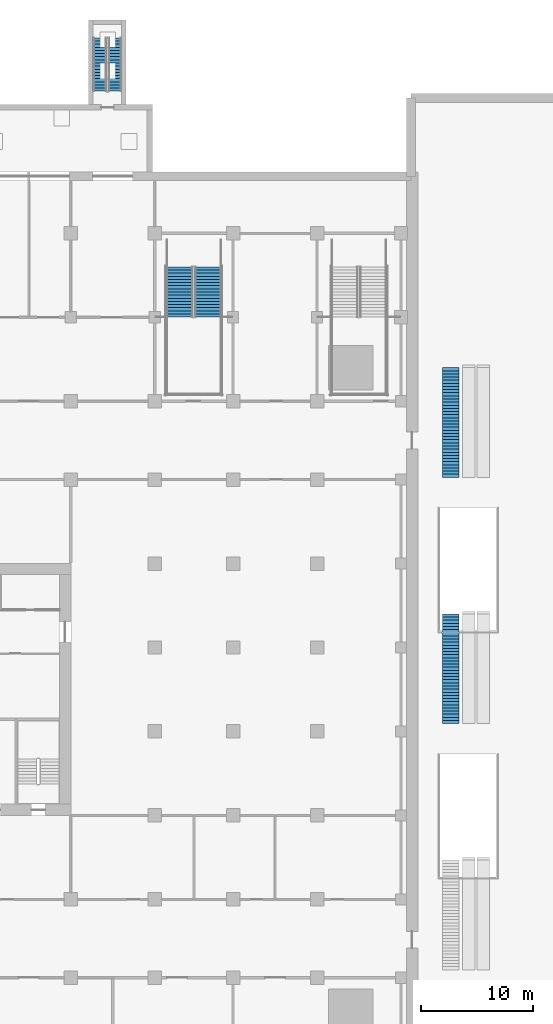
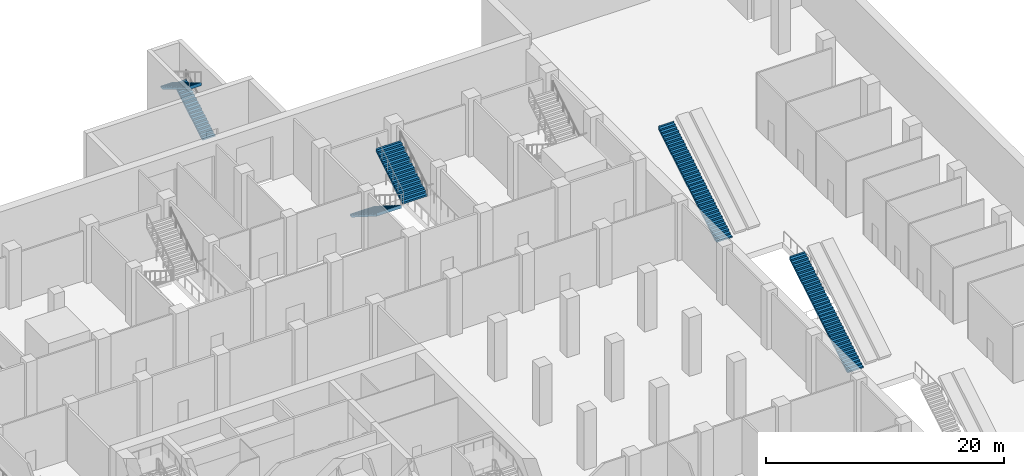
# One storey, part 24 of 45: 6 stair flights, 4 elements without a shape of their own.
"""IFC4 building model written with IfcOpenShell, lengths in metres."""

from ifc_helpers import new_model, si_unit, direction, frame, origin, place, context, subcontext, project, spatial, polyline, outline, extrude, material, type_object, element, aggregate, save


model = new_model("IFC4")

# Units and contexts
model_context = context("Model", 3, precision=1e-05, world=origin(), true_north=direction((0.0, 1.0)))
body_context = subcontext(model_context, "Body", "Model", "MODEL_VIEW")
ifc_project = project(units=[si_unit("LENGTHUNIT", "METRE"), si_unit("AREAUNIT", "SQUARE_METRE"), si_unit("VOLUMEUNIT", "CUBIC_METRE"), si_unit("PLANEANGLEUNIT", "RADIAN"), si_unit("MASSUNIT", "GRAM", prefix="KILO")], contexts=[model_context])

# Site, building, storey
site_placement = place(None, origin())
site = spatial("IfcSite", under=ifc_project, at=site_placement, CompositionType="ELEMENT")
building_placement = place(site_placement, origin())
building = spatial("IfcBuilding", under=site, at=building_placement, Name="Tamorin Gate", CompositionType="ELEMENT")
storey_placement = place(building_placement, frame((0.0, 0.0, -6.0)))
storey = spatial("IfcBuildingStorey", under=building, at=storey_placement, Name="B1", CompositionType="ELEMENT", Elevation=-6.0)

# Stair, stair flights
ifc_material_1 = material(Name="Concrete C40/50", Category="concrete")
stair_type_1 = type_object("IfcStairType", Name="Exit stair 1200 C40/50", PredefinedType="HALF_TURN_STAIR", material=ifc_material_1)
stair_1_placement = place(storey_placement, origin())
stair_1 = element("IfcStair", 1, at=stair_1_placement, inside=storey, type_object=stair_type_1, Name="B1 SB10", PredefinedType="HALF_TURN_STAIR")
stair_flight_type_1 = type_object("IfcStairFlightType", Name="Exit stair flight 1200 C40/50", PredefinedType="STRAIGHT", material=ifc_material_1)
stair_flight_1_placement = place(storey_placement, frame((63.949951171875, 124.699951171875, 0.0), z_axis=(0.0, 0.0, 1.0), x_axis=(0.0, 1.0, 0.0)))
stair_flight_1 = element("IfcStairFlight", 2, at=stair_flight_1_placement, type_object=stair_flight_type_1, Name="SB10 flight 1", NumberOfRisers=18, NumberOfTreads=17, PredefinedType="STRAIGHT", RiserHeight=0.166666667, TreadLength=0.28, context=body_context, shape_type="SweptSolid", body=[
    extrude(outline(polyline([(-0.00048828125, 0.0), (-0.00048828125, 0.166748046875), (0.280029296875, 0.166748046875), (0.280029296875, 0.333251953125), (0.56005859375, 0.333251953125), (0.56005859375, 0.5), (0.840087890625, 0.5), (0.840087890625, 0.666748046875), (1.1201171875, 0.666748046875), (1.1201171875, 0.833251953125), (1.39990234375, 0.833251953125), (1.39990234375, 1.0), (1.679931640625, 1.0), (1.679931640625, 1.166748046875), (1.9599609375, 1.166748046875), (1.9599609375, 1.333251953125), (2.239990234375, 1.333251953125), (2.239990234375, 1.5), (2.52001953125, 1.5), (2.52001953125, 1.666748046875), (2.800048828125, 1.666748046875), (2.800048828125, 1.833251953125), (3.080078125, 1.833251953125), (3.080078125, 2.0), (3.360107421875, 2.0), (3.360107421875, 2.166748046875), (3.639892578125, 2.166748046875), (3.639892578125, 2.333251953125), (3.919921875, 2.333251953125), (3.919921875, 2.5), (4.199951171875, 2.5), (4.199951171875, 2.666748046875), (4.47998046875, 2.666748046875), (4.47998046875, 2.833251953125), (4.760009765625, 2.833251953125), (4.760009765625, 3.0), (4.760498046875, 3.0), (4.760498046875, 2.658935546875), (4.760009765625, 2.658935546875), (0.29296875, 0.0), (-0.00048828125, 0.0)])), frame((0.0, 0.60009765625, 0.0), z_axis=(0.0, -1.0, 0.0), x_axis=(1.0, 0.0, 0.0)), (0.0, 0.0, 1.0), 1.199951171875),
])
stair_flight_2_placement = place(storey_placement, frame((62.60009765625, 129.4599609375, 3.0), z_axis=(0.0, 0.0, 1.0), x_axis=(0.0, -1.0, 0.0)))
stair_flight_2 = element("IfcStairFlight", 3, at=stair_flight_2_placement, type_object=stair_flight_type_1, Name="SB10 flight 2", NumberOfRisers=18, NumberOfTreads=17, PredefinedType="STRAIGHT", RiserHeight=0.166666667, TreadLength=0.28, context=body_context, shape_type="SweptSolid", body=[
    extrude(outline(polyline([(-0.00048828125, 0.0), (-0.00048828125, 0.166748046875), (0.280029296875, 0.166748046875), (0.280029296875, 0.333251953125), (0.56005859375, 0.333251953125), (0.56005859375, 0.5), (0.840087890625, 0.5), (0.840087890625, 0.666748046875), (1.1201171875, 0.666748046875), (1.1201171875, 0.833251953125), (1.39990234375, 0.833251953125), (1.39990234375, 1.0), (1.679931640625, 1.0), (1.679931640625, 1.166748046875), (1.9599609375, 1.166748046875), (1.9599609375, 1.333251953125), (2.239990234375, 1.333251953125), (2.239990234375, 1.5), (2.52001953125, 1.5), (2.52001953125, 1.666748046875), (2.800048828125, 1.666748046875), (2.800048828125, 1.833251953125), (3.080078125, 1.833251953125), (3.080078125, 2.0), (3.360107421875, 2.0), (3.360107421875, 2.166748046875), (3.639892578125, 2.166748046875), (3.639892578125, 2.333251953125), (3.919921875, 2.333251953125), (3.919921875, 2.5), (4.199951171875, 2.5), (4.199951171875, 2.666748046875), (4.47998046875, 2.666748046875), (4.47998046875, 2.833251953125), (4.760009765625, 2.833251953125), (4.760009765625, 3.0), (4.760498046875, 3.0), (4.760498046875, 2.658935546875), (4.760009765625, 2.658935546875), (0.29296875, 0.0), (-0.00048828125, 0.0)])), frame((0.0, 0.60009765625, 0.0), z_axis=(0.0, -1.0, 0.0), x_axis=(1.0, 0.0, 0.0)), (0.0, 0.0, 1.0), 1.199951171875),
])
aggregate(stair_1, [stair_flight_1, stair_flight_2])

ifc_material_2 = material(Name="Reinforced concrete C32/40", Category="concrete")
stair_type_2 = type_object("IfcStairType", Name="Basement stair SB", PredefinedType="HALF_TURN_STAIR", material=ifc_material_2)
stair_2_placement = place(storey_placement, origin())
stair_2 = element("IfcStair", 4, at=stair_2_placement, inside=storey, type_object=stair_type_2, Name="B1 Basement stair SB4", PredefinedType="HALF_TURN_STAIR")
stair_flight_type_2 = type_object("IfcStairFlightType", Name="Stair flight 2400", PredefinedType="STRAIGHT", material=ifc_material_2)
stair_flight_3_placement = place(storey_placement, frame((69.72509765625, 109.0, 0.0), z_axis=(0.0, 0.0, 1.0), x_axis=(0.0, -1.0, 0.0)))
stair_flight_3 = element("IfcStairFlight", 5, at=stair_flight_3_placement, type_object=stair_flight_type_2, Name="SB4 flight 1", NumberOfRisers=17, NumberOfTreads=16, PredefinedType="STRAIGHT", RiserHeight=0.176470588, TreadLength=0.28, context=body_context, shape_type="SweptSolid", body=[
    extrude(outline(polyline([(-0.00048828125, 0.0), (-0.00048828125, 0.001708984375), (-0.00048828125, 0.00341796875), (-0.00048828125, 0.005126953125), (-0.00048828125, 0.007080078125), (-0.00048828125, 0.0087890625), (-0.00048828125, 0.010498046875), (-0.00048828125, 0.01220703125), (-0.00048828125, 0.013916015625), (-0.00048828125, 0.015625), (-0.00048828125, 0.017578125), (-0.00048828125, 0.019287109375), (-0.00048828125, 0.02099609375), (-0.00048828125, 0.022705078125), (-0.00048828125, 0.0244140625), (-0.00048828125, 0.026123046875), (-0.00048828125, 0.028076171875), (-0.00048828125, 0.02978515625), (-0.00048828125, 0.031494140625), (-0.00048828125, 0.033203125), (-0.00048828125, 0.034912109375), (-0.00048828125, 0.03662109375), (-0.00048828125, 0.038330078125), (-0.00048828125, 0.040283203125), (-0.00048828125, 0.0419921875), (-0.00048828125, 0.043701171875), (-0.00048828125, 0.04541015625), (-0.00048828125, 0.047119140625), (-0.00048828125, 0.048828125), (-0.00048828125, 0.05078125), (-0.00048828125, 0.052490234375), (-0.00048828125, 0.05419921875), (-0.00048828125, 0.055908203125), (-0.00048828125, 0.0576171875), (-0.00048828125, 0.059326171875), (-0.00048828125, 0.06103515625), (-0.00048828125, 0.06298828125), (-0.00048828125, 0.064697265625), (-0.00048828125, 0.06640625), (-0.00048828125, 0.068115234375), (-0.00048828125, 0.06982421875), (-0.00048828125, 0.071533203125), (-0.00048828125, 0.073486328125), (-0.00048828125, 0.0751953125), (-0.00048828125, 0.076904296875), (-0.00048828125, 0.07861328125), (-0.00048828125, 0.080322265625), (-0.00048828125, 0.08203125), (-0.00048828125, 0.083984375), (-0.00048828125, 0.085693359375), (-0.00048828125, 0.08740234375), (-0.00048828125, 0.089111328125), (-0.00048828125, 0.0908203125), (-0.00048828125, 0.092529296875), (-0.00048828125, 0.09423828125), (-0.00048828125, 0.09619140625), (-0.00048828125, 0.097900390625), (-0.00048828125, 0.099609375), (-0.00048828125, 0.101318359375), (-0.00048828125, 0.10302734375), (-0.00048828125, 0.104736328125), (-0.00048828125, 0.106689453125), (-0.00048828125, 0.1083984375), (-0.00048828125, 0.110107421875), (-0.00048828125, 0.11181640625), (-0.00048828125, 0.113525390625), (-0.00048828125, 0.115234375), (-0.00048828125, 0.116943359375), (-0.00048828125, 0.118896484375), (-0.00048828125, 0.12060546875), (-0.00048828125, 0.122314453125), (-0.00048828125, 0.1240234375), (-0.00048828125, 0.125732421875), (-0.00048828125, 0.12744140625), (-0.00048828125, 0.12939453125), (-0.00048828125, 0.131103515625), (-0.00048828125, 0.1328125), (-0.00048828125, 0.134521484375), (-0.00048828125, 0.13623046875), (-0.00048828125, 0.137939453125), (-0.00048828125, 0.139892578125), (-0.00048828125, 0.1416015625), (-0.00048828125, 0.143310546875), (-0.00048828125, 0.14501953125), (-0.00048828125, 0.146728515625), (-0.00048828125, 0.1484375), (-0.00048828125, 0.150146484375), (-0.00048828125, 0.152099609375), (-0.00048828125, 0.15380859375), (-0.00048828125, 0.155517578125), (-0.00048828125, 0.1572265625), (-0.00048828125, 0.158935546875), (-0.00048828125, 0.16064453125), (-0.00048828125, 0.16259765625), (-0.00048828125, 0.164306640625), (-0.00048828125, 0.166015625), (-0.00048828125, 0.167724609375), (-0.00048828125, 0.16943359375), (-0.00048828125, 0.171142578125), (-0.00048828125, 0.173095703125), (-0.00048828125, 0.1748046875), (-0.00048828125, 0.176513671875), (0.280029296875, 0.176513671875), (0.280029296875, 0.35302734375), (0.56005859375, 0.35302734375), (0.56005859375, 0.529296875), (0.840087890625, 0.529296875), (0.840087890625, 0.705810546875), (1.1201171875, 0.705810546875), (1.1201171875, 0.88232421875), (1.39990234375, 0.88232421875), (1.39990234375, 1.058837890625), (1.679931640625, 1.058837890625), (1.679931640625, 1.2353515625), (1.9599609375, 1.2353515625), (1.9599609375, 1.411865234375), (2.239990234375, 1.411865234375), (2.239990234375, 1.588134765625), (2.52001953125, 1.588134765625), (2.52001953125, 1.7646484375), (2.800048828125, 1.7646484375), (2.800048828125, 1.941162109375), (3.080078125, 1.941162109375), (3.080078125, 2.11767578125), (3.360107421875, 2.11767578125), (3.360107421875, 2.294189453125), (3.639892578125, 2.294189453125), (3.639892578125, 2.470703125), (3.919921875, 2.470703125), (3.919921875, 2.64697265625), (4.199951171875, 2.64697265625), (4.199951171875, 2.823486328125), (4.47998046875, 2.823486328125), (4.47998046875, 3.0), (4.48046875, 3.0), (4.48046875, 2.99658203125), (4.48046875, 2.992919921875), (4.48046875, 2.989501953125), (4.48046875, 2.986083984375), (4.48046875, 2.982421875), (4.48046875, 2.97900390625), (4.48046875, 2.9755859375), (4.48046875, 2.971923828125), (4.48046875, 2.968505859375), (4.48046875, 2.965087890625), (4.48046875, 2.96142578125), (4.48046875, 2.9580078125), (4.48046875, 2.95458984375), (4.48046875, 2.950927734375), (4.48046875, 2.947509765625), (4.48046875, 2.944091796875), (4.48046875, 2.9404296875), (4.48046875, 2.93701171875), (4.48046875, 2.933349609375), (4.48046875, 2.929931640625), (4.48046875, 2.926513671875), (4.48046875, 2.9228515625), (4.48046875, 2.91943359375), (4.48046875, 2.916015625), (4.48046875, 2.912353515625), (4.48046875, 2.908935546875), (4.48046875, 2.905517578125), (4.48046875, 2.90185546875), (4.48046875, 2.8984375), (4.48046875, 2.89501953125), (4.48046875, 2.891357421875), (4.48046875, 2.887939453125), (4.48046875, 2.884521484375), (4.48046875, 2.880859375), (4.48046875, 2.87744140625), (4.48046875, 2.8740234375), (4.48046875, 2.870361328125), (4.48046875, 2.866943359375), (4.48046875, 2.863525390625), (4.48046875, 2.85986328125), (4.48046875, 2.8564453125), (4.48046875, 2.85302734375), (4.48046875, 2.849365234375), (4.48046875, 2.845947265625), (4.48046875, 2.842529296875), (4.48046875, 2.8388671875), (4.48046875, 2.83544921875), (4.48046875, 2.83203125), (4.48046875, 2.828369140625), (4.48046875, 2.824951171875), (4.48046875, 2.821533203125), (4.48046875, 2.81787109375), (4.48046875, 2.814453125), (4.48046875, 2.81103515625), (4.48046875, 2.807373046875), (4.48046875, 2.803955078125), (4.48046875, 2.80029296875), (4.48046875, 2.796875), (4.48046875, 2.79345703125), (4.48046875, 2.789794921875), (4.48046875, 2.786376953125), (4.48046875, 2.782958984375), (4.48046875, 2.779296875), (4.48046875, 2.77587890625), (4.48046875, 2.7724609375), (4.48046875, 2.768798828125), (4.48046875, 2.765380859375), (4.48046875, 2.761962890625), (4.48046875, 2.75830078125), (4.48046875, 2.7548828125), (4.48046875, 2.75146484375), (4.48046875, 2.747802734375), (4.48046875, 2.744384765625), (4.48046875, 2.740966796875), (4.48046875, 2.7373046875), (4.48046875, 2.73388671875), (4.48046875, 2.73046875), (4.48046875, 2.726806640625), (4.48046875, 2.723388671875), (4.48046875, 2.719970703125), (4.48046875, 2.71630859375), (4.48046875, 2.712890625), (4.48046875, 2.70947265625), (4.48046875, 2.705810546875), (4.48046875, 2.702392578125), (4.48046875, 2.698974609375), (4.48046875, 2.6953125), (4.48046875, 2.69189453125), (4.48046875, 2.6884765625), (4.48046875, 2.684814453125), (4.48046875, 2.681396484375), (4.48046875, 2.677734375), (4.48046875, 2.67431640625), (4.48046875, 2.6708984375), (4.48046875, 2.667236328125), (4.48046875, 2.663818359375), (4.48046875, 2.660400390625), (4.48046875, 2.65673828125), (4.48046875, 2.6533203125), (4.48046875, 2.64990234375), (4.48046875, 2.646240234375), (4.47998046875, 2.646240234375), (0.28125, 0.0), (-0.00048828125, 0.0)])), frame((0.0, 1.199951171875, 0.0), z_axis=(0.0, -1.0, 0.0), x_axis=(1.0, 0.0, 0.0)), (0.0, 0.0, 1.0), 2.39990234375),
])
stair_flight_4_placement = place(storey_placement, frame((72.27490234375, 104.52001953125, 3.0), z_axis=(0.0, 0.0, 1.0), x_axis=(0.0, 1.0, 0.0)))
stair_flight_4 = element("IfcStairFlight", 6, at=stair_flight_4_placement, type_object=stair_flight_type_2, Name="SB4 flight 2", NumberOfRisers=17, NumberOfTreads=16, PredefinedType="STRAIGHT", RiserHeight=0.176470588, TreadLength=0.28, context=body_context, shape_type="SweptSolid", body=[
    extrude(outline(polyline([(-0.00048828125, 0.0), (-0.00048828125, 0.001708984375), (-0.00048828125, 0.00341796875), (-0.00048828125, 0.005126953125), (-0.00048828125, 0.007080078125), (-0.00048828125, 0.0087890625), (-0.00048828125, 0.010498046875), (-0.00048828125, 0.01220703125), (-0.00048828125, 0.013916015625), (-0.00048828125, 0.015625), (-0.00048828125, 0.017578125), (-0.00048828125, 0.019287109375), (-0.00048828125, 0.02099609375), (-0.00048828125, 0.022705078125), (-0.00048828125, 0.0244140625), (-0.00048828125, 0.026123046875), (-0.00048828125, 0.028076171875), (-0.00048828125, 0.02978515625), (-0.00048828125, 0.031494140625), (-0.00048828125, 0.033203125), (-0.00048828125, 0.034912109375), (-0.00048828125, 0.03662109375), (-0.00048828125, 0.038330078125), (-0.00048828125, 0.040283203125), (-0.00048828125, 0.0419921875), (-0.00048828125, 0.043701171875), (-0.00048828125, 0.04541015625), (-0.00048828125, 0.047119140625), (-0.00048828125, 0.048828125), (-0.00048828125, 0.05078125), (-0.00048828125, 0.052490234375), (-0.00048828125, 0.05419921875), (-0.00048828125, 0.055908203125), (-0.00048828125, 0.0576171875), (-0.00048828125, 0.059326171875), (-0.00048828125, 0.06103515625), (-0.00048828125, 0.06298828125), (-0.00048828125, 0.064697265625), (-0.00048828125, 0.06640625), (-0.00048828125, 0.068115234375), (-0.00048828125, 0.06982421875), (-0.00048828125, 0.071533203125), (-0.00048828125, 0.073486328125), (-0.00048828125, 0.0751953125), (-0.00048828125, 0.076904296875), (-0.00048828125, 0.07861328125), (-0.00048828125, 0.080322265625), (-0.00048828125, 0.08203125), (-0.00048828125, 0.083984375), (-0.00048828125, 0.085693359375), (-0.00048828125, 0.08740234375), (-0.00048828125, 0.089111328125), (-0.00048828125, 0.0908203125), (-0.00048828125, 0.092529296875), (-0.00048828125, 0.09423828125), (-0.00048828125, 0.09619140625), (-0.00048828125, 0.097900390625), (-0.00048828125, 0.099609375), (-0.00048828125, 0.101318359375), (-0.00048828125, 0.10302734375), (-0.00048828125, 0.104736328125), (-0.00048828125, 0.106689453125), (-0.00048828125, 0.1083984375), (-0.00048828125, 0.110107421875), (-0.00048828125, 0.11181640625), (-0.00048828125, 0.113525390625), (-0.00048828125, 0.115234375), (-0.00048828125, 0.116943359375), (-0.00048828125, 0.118896484375), (-0.00048828125, 0.12060546875), (-0.00048828125, 0.122314453125), (-0.00048828125, 0.1240234375), (-0.00048828125, 0.125732421875), (-0.00048828125, 0.12744140625), (-0.00048828125, 0.12939453125), (-0.00048828125, 0.131103515625), (-0.00048828125, 0.1328125), (-0.00048828125, 0.134521484375), (-0.00048828125, 0.13623046875), (-0.00048828125, 0.137939453125), (-0.00048828125, 0.139892578125), (-0.00048828125, 0.1416015625), (-0.00048828125, 0.143310546875), (-0.00048828125, 0.14501953125), (-0.00048828125, 0.146728515625), (-0.00048828125, 0.1484375), (-0.00048828125, 0.150146484375), (-0.00048828125, 0.152099609375), (-0.00048828125, 0.15380859375), (-0.00048828125, 0.155517578125), (-0.00048828125, 0.1572265625), (-0.00048828125, 0.158935546875), (-0.00048828125, 0.16064453125), (-0.00048828125, 0.16259765625), (-0.00048828125, 0.164306640625), (-0.00048828125, 0.166015625), (-0.00048828125, 0.167724609375), (-0.00048828125, 0.16943359375), (-0.00048828125, 0.171142578125), (-0.00048828125, 0.173095703125), (-0.00048828125, 0.1748046875), (-0.00048828125, 0.176513671875), (0.280029296875, 0.176513671875), (0.280029296875, 0.35302734375), (0.56005859375, 0.35302734375), (0.56005859375, 0.529296875), (0.840087890625, 0.529296875), (0.840087890625, 0.705810546875), (1.1201171875, 0.705810546875), (1.1201171875, 0.88232421875), (1.39990234375, 0.88232421875), (1.39990234375, 1.058837890625), (1.679931640625, 1.058837890625), (1.679931640625, 1.2353515625), (1.9599609375, 1.2353515625), (1.9599609375, 1.411865234375), (2.239990234375, 1.411865234375), (2.239990234375, 1.588134765625), (2.52001953125, 1.588134765625), (2.52001953125, 1.7646484375), (2.800048828125, 1.7646484375), (2.800048828125, 1.941162109375), (3.080078125, 1.941162109375), (3.080078125, 2.11767578125), (3.360107421875, 2.11767578125), (3.360107421875, 2.294189453125), (3.639892578125, 2.294189453125), (3.639892578125, 2.470703125), (3.919921875, 2.470703125), (3.919921875, 2.64697265625), (4.199951171875, 2.64697265625), (4.199951171875, 2.823486328125), (4.47998046875, 2.823486328125), (4.47998046875, 3.0), (4.48046875, 3.0), (4.48046875, 2.99658203125), (4.48046875, 2.992919921875), (4.48046875, 2.989501953125), (4.48046875, 2.986083984375), (4.48046875, 2.982421875), (4.48046875, 2.97900390625), (4.48046875, 2.9755859375), (4.48046875, 2.971923828125), (4.48046875, 2.968505859375), (4.48046875, 2.965087890625), (4.48046875, 2.96142578125), (4.48046875, 2.9580078125), (4.48046875, 2.95458984375), (4.48046875, 2.950927734375), (4.48046875, 2.947509765625), (4.48046875, 2.944091796875), (4.48046875, 2.9404296875), (4.48046875, 2.93701171875), (4.48046875, 2.933349609375), (4.48046875, 2.929931640625), (4.48046875, 2.926513671875), (4.48046875, 2.9228515625), (4.48046875, 2.91943359375), (4.48046875, 2.916015625), (4.48046875, 2.912353515625), (4.48046875, 2.908935546875), (4.48046875, 2.905517578125), (4.48046875, 2.90185546875), (4.48046875, 2.8984375), (4.48046875, 2.89501953125), (4.48046875, 2.891357421875), (4.48046875, 2.887939453125), (4.48046875, 2.884521484375), (4.48046875, 2.880859375), (4.48046875, 2.87744140625), (4.48046875, 2.8740234375), (4.48046875, 2.870361328125), (4.48046875, 2.866943359375), (4.48046875, 2.863525390625), (4.48046875, 2.85986328125), (4.48046875, 2.8564453125), (4.48046875, 2.85302734375), (4.48046875, 2.849365234375), (4.48046875, 2.845947265625), (4.48046875, 2.842529296875), (4.48046875, 2.8388671875), (4.48046875, 2.83544921875), (4.48046875, 2.83203125), (4.48046875, 2.828369140625), (4.48046875, 2.824951171875), (4.48046875, 2.821533203125), (4.48046875, 2.81787109375), (4.48046875, 2.814453125), (4.48046875, 2.81103515625), (4.48046875, 2.807373046875), (4.48046875, 2.803955078125), (4.48046875, 2.80029296875), (4.48046875, 2.796875), (4.48046875, 2.79345703125), (4.48046875, 2.789794921875), (4.48046875, 2.786376953125), (4.48046875, 2.782958984375), (4.48046875, 2.779296875), (4.48046875, 2.77587890625), (4.48046875, 2.7724609375), (4.48046875, 2.768798828125), (4.48046875, 2.765380859375), (4.48046875, 2.761962890625), (4.48046875, 2.75830078125), (4.48046875, 2.7548828125), (4.48046875, 2.75146484375), (4.48046875, 2.747802734375), (4.48046875, 2.744384765625), (4.48046875, 2.740966796875), (4.48046875, 2.7373046875), (4.48046875, 2.73388671875), (4.48046875, 2.73046875), (4.48046875, 2.726806640625), (4.48046875, 2.723388671875), (4.48046875, 2.719970703125), (4.48046875, 2.71630859375), (4.48046875, 2.712890625), (4.48046875, 2.70947265625), (4.48046875, 2.705810546875), (4.48046875, 2.702392578125), (4.48046875, 2.698974609375), (4.48046875, 2.6953125), (4.48046875, 2.69189453125), (4.48046875, 2.6884765625), (4.48046875, 2.684814453125), (4.48046875, 2.681396484375), (4.48046875, 2.677734375), (4.48046875, 2.67431640625), (4.48046875, 2.6708984375), (4.48046875, 2.667236328125), (4.48046875, 2.663818359375), (4.48046875, 2.660400390625), (4.48046875, 2.65673828125), (4.48046875, 2.6533203125), (4.48046875, 2.64990234375), (4.48046875, 2.646240234375), (4.47998046875, 2.646240234375), (0.28125, 0.0), (-0.00048828125, 0.0)])), frame((0.0, 1.199951171875, 0.0), z_axis=(0.0, -1.0, 0.0), x_axis=(1.0, 0.0, 0.0)), (0.0, 0.0, 1.0), 2.39990234375),
])
aggregate(stair_2, [stair_flight_3, stair_flight_4])

# Stair, stair flight
ifc_material_3 = material(Name="Reinforced concrete C40/50", Category="concrete")
stair_type_3 = type_object("IfcStairType", Name="Station stair 1500", PredefinedType="STRAIGHT_RUN_STAIR", material=ifc_material_3)
stair_3_placement = place(storey_placement, origin())
stair_3 = element("IfcStair", 7, at=stair_3_placement, inside=storey, type_object=stair_type_3, Name="Station stair A2", PredefinedType="STRAIGHT_RUN_STAIR")
stair_flight_type_3 = type_object("IfcStairFlightType", Name="Station stair flight 1500", PredefinedType="STRAIGHT", material=ifc_material_3)
stair_flight_5_placement = place(storey_placement, frame((93.949951171875, 68.199951171875, 0.0), z_axis=(0.0, 0.0, 1.0), x_axis=(0.0, 1.0, 0.0)))
stair_flight_5 = element("IfcStairFlight", 8, at=stair_flight_5_placement, type_object=stair_flight_type_3, Name="SS1 flight 1", NumberOfRisers=36, NumberOfTreads=35, PredefinedType="STRAIGHT", RiserHeight=0.166666667, TreadLength=0.28, context=body_context, shape_type="SweptSolid", body=[
    extrude(outline(polyline([(-0.00048828125, 0.0), (-0.00048828125, 0.166748046875), (0.280029296875, 0.166748046875), (0.280029296875, 0.333251953125), (0.56005859375, 0.333251953125), (0.56005859375, 0.5), (0.840087890625, 0.5), (0.840087890625, 0.666748046875), (1.1201171875, 0.666748046875), (1.1201171875, 0.833251953125), (1.39990234375, 0.833251953125), (1.39990234375, 1.0), (1.679931640625, 1.0), (1.679931640625, 1.166748046875), (1.9599609375, 1.166748046875), (1.9599609375, 1.333251953125), (2.239990234375, 1.333251953125), (2.239990234375, 1.5), (2.52001953125, 1.5), (2.52001953125, 1.666748046875), (2.800048828125, 1.666748046875), (2.800048828125, 1.833251953125), (3.080078125, 1.833251953125), (3.080078125, 2.0), (3.360107421875, 2.0), (3.360107421875, 2.166748046875), (3.639892578125, 2.166748046875), (3.639892578125, 2.333251953125), (3.919921875, 2.333251953125), (3.919921875, 2.5), (4.199951171875, 2.5), (4.199951171875, 2.666748046875), (4.47998046875, 2.666748046875), (4.47998046875, 2.833251953125), (4.760009765625, 2.833251953125), (4.760009765625, 3.0), (5.0400390625, 3.0), (5.0400390625, 3.166748046875), (5.320068359375, 3.166748046875), (5.320068359375, 3.333251953125), (5.60009765625, 3.333251953125), (5.60009765625, 3.5), (5.8798828125, 3.5), (5.8798828125, 3.666748046875), (6.159912109375, 3.666748046875), (6.159912109375, 3.833251953125), (6.43994140625, 3.833251953125), (6.43994140625, 4.0), (6.719970703125, 4.0), (6.719970703125, 4.166748046875), (7.0, 4.166748046875), (7.0, 4.333251953125), (7.280029296875, 4.333251953125), (7.280029296875, 4.5), (7.56005859375, 4.5), (7.56005859375, 4.666748046875), (7.840087890625, 4.666748046875), (7.840087890625, 4.833251953125), (8.1201171875, 4.833251953125), (8.1201171875, 5.0), (8.39990234375, 5.0), (8.39990234375, 5.166748046875), (8.679931640625, 5.166748046875), (8.679931640625, 5.333251953125), (8.9599609375, 5.333251953125), (8.9599609375, 5.5), (9.239990234375, 5.5), (9.239990234375, 5.666748046875), (9.52001953125, 5.666748046875), (9.52001953125, 5.833251953125), (9.800048828125, 5.833251953125), (9.800048828125, 6.0), (9.800537109375, 6.0), (9.800537109375, 5.658935546875), (9.800048828125, 5.658935546875), (0.29296875, 0.0), (-0.00048828125, 0.0)])), frame((0.0, 0.75, 0.0), z_axis=(0.0, -1.0, 0.0), x_axis=(1.0, 0.0, 0.0)), (0.0, 0.0, 1.0), 1.5),
])
aggregate(stair_3, [stair_flight_5])

stair_4_placement = place(storey_placement, origin())
stair_4 = element("IfcStair", 9, at=stair_4_placement, inside=storey, type_object=stair_type_3, Name="Station stair A3", PredefinedType="STRAIGHT_RUN_STAIR")
stair_flight_6_placement = place(storey_placement, frame((93.949951171875, 90.199951171875, 0.0), z_axis=(0.0, 0.0, 1.0), x_axis=(0.0, 1.0, 0.0)))
stair_flight_6 = element("IfcStairFlight", 10, at=stair_flight_6_placement, type_object=stair_flight_type_3, Name="SS1 flight 1", NumberOfRisers=36, NumberOfTreads=35, PredefinedType="STRAIGHT", RiserHeight=0.166666667, TreadLength=0.28, context=body_context, shape_type="SweptSolid", body=[
    extrude(outline(polyline([(-0.00048828125, 0.0), (-0.00048828125, 0.166748046875), (0.280029296875, 0.166748046875), (0.280029296875, 0.333251953125), (0.56005859375, 0.333251953125), (0.56005859375, 0.5), (0.840087890625, 0.5), (0.840087890625, 0.666748046875), (1.1201171875, 0.666748046875), (1.1201171875, 0.833251953125), (1.39990234375, 0.833251953125), (1.39990234375, 1.0), (1.679931640625, 1.0), (1.679931640625, 1.166748046875), (1.9599609375, 1.166748046875), (1.9599609375, 1.333251953125), (2.239990234375, 1.333251953125), (2.239990234375, 1.5), (2.52001953125, 1.5), (2.52001953125, 1.666748046875), (2.800048828125, 1.666748046875), (2.800048828125, 1.833251953125), (3.080078125, 1.833251953125), (3.080078125, 2.0), (3.360107421875, 2.0), (3.360107421875, 2.166748046875), (3.639892578125, 2.166748046875), (3.639892578125, 2.333251953125), (3.919921875, 2.333251953125), (3.919921875, 2.5), (4.199951171875, 2.5), (4.199951171875, 2.666748046875), (4.47998046875, 2.666748046875), (4.47998046875, 2.833251953125), (4.760009765625, 2.833251953125), (4.760009765625, 3.0), (5.0400390625, 3.0), (5.0400390625, 3.166748046875), (5.320068359375, 3.166748046875), (5.320068359375, 3.333251953125), (5.60009765625, 3.333251953125), (5.60009765625, 3.5), (5.8798828125, 3.5), (5.8798828125, 3.666748046875), (6.159912109375, 3.666748046875), (6.159912109375, 3.833251953125), (6.43994140625, 3.833251953125), (6.43994140625, 4.0), (6.719970703125, 4.0), (6.719970703125, 4.166748046875), (7.0, 4.166748046875), (7.0, 4.333251953125), (7.280029296875, 4.333251953125), (7.280029296875, 4.5), (7.56005859375, 4.5), (7.56005859375, 4.666748046875), (7.840087890625, 4.666748046875), (7.840087890625, 4.833251953125), (8.1201171875, 4.833251953125), (8.1201171875, 5.0), (8.39990234375, 5.0), (8.39990234375, 5.166748046875), (8.679931640625, 5.166748046875), (8.679931640625, 5.333251953125), (8.9599609375, 5.333251953125), (8.9599609375, 5.5), (9.239990234375, 5.5), (9.239990234375, 5.666748046875), (9.52001953125, 5.666748046875), (9.52001953125, 5.833251953125), (9.800048828125, 5.833251953125), (9.800048828125, 6.0), (9.800537109375, 6.0), (9.800537109375, 5.658935546875), (9.800048828125, 5.658935546875), (0.29296875, 0.0), (-0.00048828125, 0.0)])), frame((0.0, 0.75, 0.0), z_axis=(0.0, -1.0, 0.0), x_axis=(1.0, 0.0, 0.0)), (0.0, 0.0, 1.0), 1.5),
])
aggregate(stair_4, [stair_flight_6])

save(model, "model.ifc")
